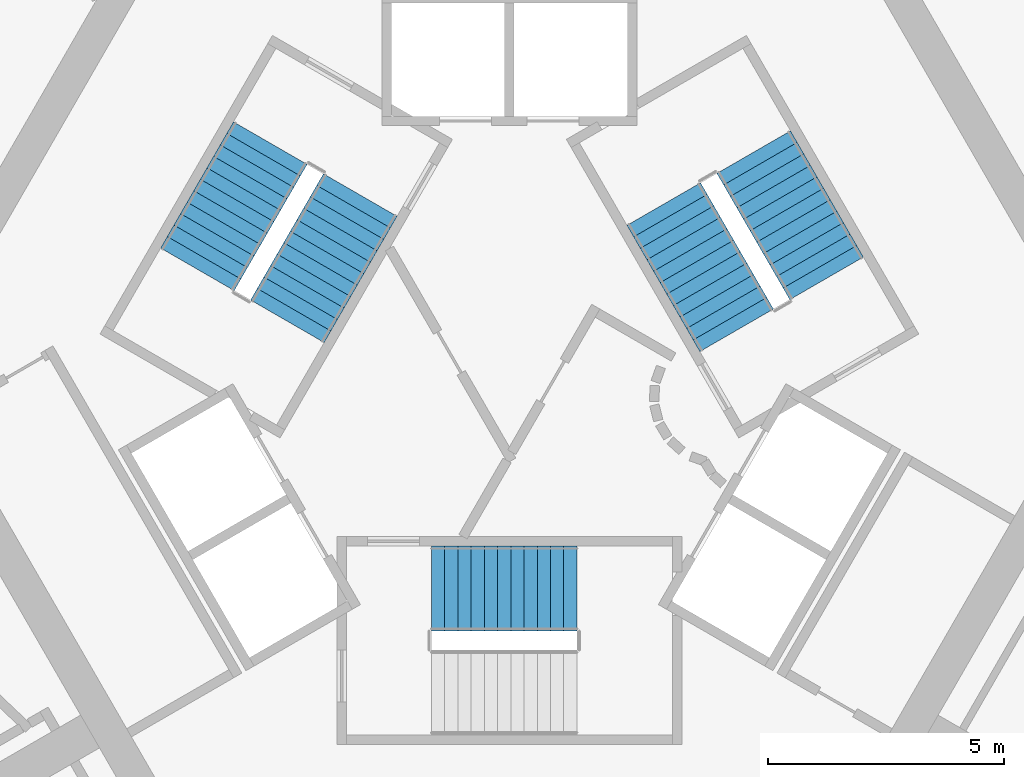
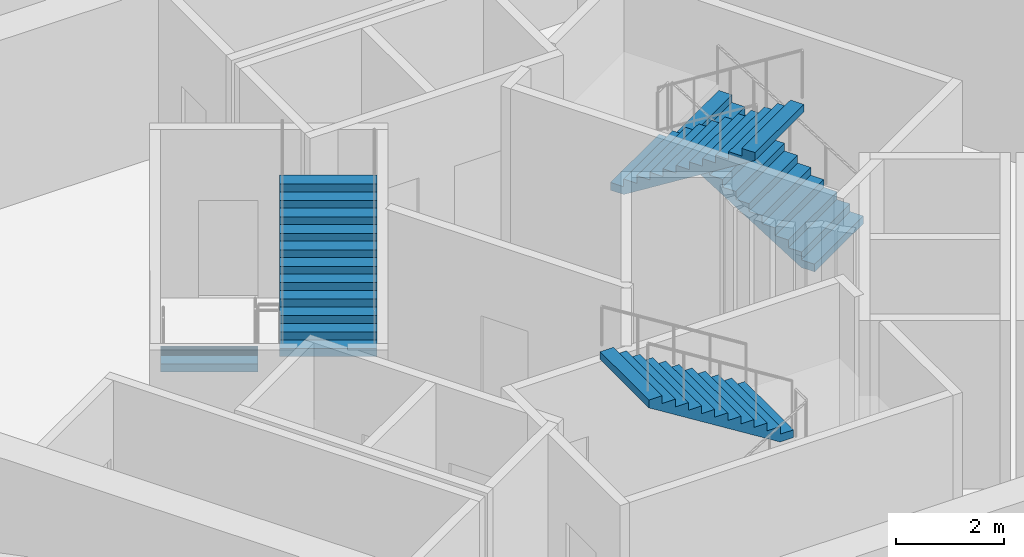
# One storey, part 10 of 11: 5 stair flights, 3 elements without a shape of their own.
"""IFC4 building model written with IfcOpenShell, lengths in metres."""

from ifc_helpers import new_model, si_unit, direction, frame, origin, place, context, subcontext, project, spatial, polyline, outline, extrude, material, type_object, element, aggregate, save


model = new_model("IFC4")

# Units and contexts
model_context = context("Model", 3, precision=1e-05, world=origin(), true_north=direction((0.0, 1.0)))
body_context = subcontext(model_context, "Body", "Model", "MODEL_VIEW")
ifc_project = project(units=[si_unit("LENGTHUNIT", "METRE"), si_unit("AREAUNIT", "SQUARE_METRE"), si_unit("VOLUMEUNIT", "CUBIC_METRE"), si_unit("PLANEANGLEUNIT", "RADIAN"), si_unit("MASSUNIT", "GRAM", prefix="KILO")], contexts=[model_context])

# Site, building, storey
site_placement = place(None, origin())
site = spatial("IfcSite", under=ifc_project, at=site_placement, CompositionType="ELEMENT")
building_placement = place(site_placement, origin())
building = spatial("IfcBuilding", under=site, at=building_placement, Name="Entoto Arch Interchange Tower", CompositionType="ELEMENT")
storey_placement = place(building_placement, frame((0.0, 0.0, 206.60009765625)))
storey = spatial("IfcBuildingStorey", under=building, at=storey_placement, Name="L46", CompositionType="ELEMENT", Elevation=206.60009765625)

# Stair, stair flight
ifc_material = material(Name="Concrete C40/50", Category="concrete")
stair_type = type_object("IfcStairType", Name="EXIT STAIR RC 1800", PredefinedType="HALF_TURN_STAIR", material=ifc_material)
stair_1_placement = place(storey_placement, origin())
stair_1 = element("IfcStair", 1, at=stair_1_placement, inside=storey, type_object=stair_type, Name="L46 Exit stair S", PredefinedType="HALF_TURN_STAIR")
stair_flight_type = type_object("IfcStairFlightType", Name="EXIT STAIR FLIGHT RC 1800", PredefinedType="STRAIGHT", material=ifc_material)
stair_flight_1_placement = place(storey_placement, frame((1.429931640625, -2.10009765625, 2.099853515625), z_axis=(0.0, 0.0, 1.0), x_axis=(-1.0, 0.0, 0.0)))
stair_flight_1 = element("IfcStairFlight", 2, at=stair_flight_1_placement, type_object=stair_flight_type, Name="ST-S flight 2", NumberOfRisers=12, NumberOfTreads=11, PredefinedType="STRAIGHT", RiserHeight=0.175, TreadLength=0.28, context=body_context, shape_type="SweptSolid", body=[
    extrude(outline(polyline([(-0.0029296875, 0.0), (-0.0029296875, 0.175048828125), (0.280029296875, 0.175048828125), (0.280029296875, 0.35009765625), (0.56005859375, 0.35009765625), (0.56005859375, 0.52490234375), (0.840087890625, 0.52490234375), (0.840087890625, 0.699951171875), (1.1201171875, 0.699951171875), (1.1201171875, 0.875), (1.39990234375, 0.875), (1.39990234375, 1.050048828125), (1.679931640625, 1.050048828125), (1.679931640625, 1.22509765625), (1.9599609375, 1.22509765625), (1.9599609375, 1.39990234375), (2.239990234375, 1.39990234375), (2.239990234375, 1.574951171875), (2.52001953125, 1.574951171875), (2.52001953125, 1.75), (2.800048828125, 1.75), (2.800048828125, 1.925048828125), (3.080078125, 1.925048828125), (3.0830078125, 1.925048828125), (3.0830078125, 1.75), (0.28271484375, 0.0), (-0.0029296875, 0.0)])), frame((0.0, 0.89990234375, 0.0), z_axis=(0.0, -1.0, 0.0), x_axis=(1.0, 0.0, 0.0)), (0.0, 0.0, 1.0), 1.800048828125),
])
aggregate(stair_1, [stair_flight_1])

# Stair, stair flights
stair_2_placement = place(storey_placement, origin())
stair_2 = element("IfcStair", 3, at=stair_2_placement, inside=storey, type_object=stair_type, Name="L46 Exit stair NE", PredefinedType="HALF_TURN_STAIR")
stair_flight_2_placement = place(storey_placement, frame((6.7138671875, 4.470947265625, 0.0), z_axis=(0.0, 0.0, 1.0), x_axis=(-0.5, 0.866025403784, 0.0)))
stair_flight_2 = element("IfcStairFlight", 4, at=stair_flight_2_placement, type_object=stair_flight_type, Name="ST-NE flight 1", NumberOfRisers=12, NumberOfTreads=11, PredefinedType="STRAIGHT", RiserHeight=0.175, TreadLength=0.28, context=body_context, shape_type="SweptSolid", body=[
    extrude(outline(polyline([(-0.0029296875, 0.0), (-0.0029296875, 0.175048828125), (0.280029296875, 0.175048828125), (0.280029296875, 0.35009765625), (0.56005859375, 0.35009765625), (0.56005859375, 0.52490234375), (0.840087890625, 0.52490234375), (0.840087890625, 0.699951171875), (1.1201171875, 0.699951171875), (1.1201171875, 0.875), (1.39990234375, 0.875), (1.39990234375, 1.050048828125), (1.679931640625, 1.050048828125), (1.679931640625, 1.22509765625), (1.9599609375, 1.22509765625), (1.9599609375, 1.39990234375), (2.239990234375, 1.39990234375), (2.239990234375, 1.574951171875), (2.52001953125, 1.574951171875), (2.52001953125, 1.75), (2.800048828125, 1.75), (2.800048828125, 1.925048828125), (3.080078125, 1.925048828125), (3.0830078125, 1.925048828125), (3.0830078125, 1.75), (0.28271484375, 0.0), (-0.0029296875, 0.0)])), frame((0.0, 0.89990234375, 0.0), z_axis=(0.0, -1.0, 0.0), x_axis=(1.0, 0.0, 0.0)), (0.0, 0.0, 1.0), 1.800048828125),
])
stair_flight_3_placement = place(storey_placement, frame((3.268798828125, 6.038330078125, 2.099853515625), z_axis=(0.0, 0.0, 1.0), x_axis=(0.5, -0.866025403784, 0.0)))
stair_flight_3 = element("IfcStairFlight", 5, at=stair_flight_3_placement, type_object=stair_flight_type, Name="ST-NE flight 2", NumberOfRisers=12, NumberOfTreads=11, PredefinedType="STRAIGHT", RiserHeight=0.175, TreadLength=0.28, context=body_context, shape_type="SweptSolid", body=[
    extrude(outline(polyline([(-0.0029296875, 0.0), (-0.0029296875, 0.175048828125), (0.280029296875, 0.175048828125), (0.280029296875, 0.35009765625), (0.56005859375, 0.35009765625), (0.56005859375, 0.52490234375), (0.840087890625, 0.52490234375), (0.840087890625, 0.699951171875), (1.1201171875, 0.699951171875), (1.1201171875, 0.875), (1.39990234375, 0.875), (1.39990234375, 1.050048828125), (1.679931640625, 1.050048828125), (1.679931640625, 1.22509765625), (1.9599609375, 1.22509765625), (1.9599609375, 1.39990234375), (2.239990234375, 1.39990234375), (2.239990234375, 1.574951171875), (2.52001953125, 1.574951171875), (2.52001953125, 1.75), (2.800048828125, 1.75), (2.800048828125, 1.925048828125), (3.080078125, 1.925048828125), (3.0830078125, 1.925048828125), (3.0830078125, 1.75), (0.28271484375, 0.0), (-0.0029296875, 0.0)])), frame((0.0, 0.89990234375, 0.0), z_axis=(0.0, -1.0, 0.0), x_axis=(1.0, 0.0, 0.0)), (0.0, 0.0, 1.0), 1.800048828125),
])
aggregate(stair_2, [stair_flight_2, stair_flight_3])

stair_3_placement = place(storey_placement, origin())
stair_3 = element("IfcStair", 6, at=stair_3_placement, inside=storey, type_object=stair_type, Name="L46 Exit stair NW", PredefinedType="HALF_TURN_STAIR")
stair_flight_4_placement = place(storey_placement, frame((-5.06396484375, 7.328857421875, 0.0), z_axis=(0.0, 0.0, 1.0), x_axis=(-0.5, -0.866025403784, 0.0)))
stair_flight_4 = element("IfcStairFlight", 7, at=stair_flight_4_placement, type_object=stair_flight_type, Name="ST-NW flight 1", NumberOfRisers=12, NumberOfTreads=11, PredefinedType="STRAIGHT", RiserHeight=0.175, TreadLength=0.28, context=body_context, shape_type="SweptSolid", body=[
    extrude(outline(polyline([(-0.0029296875, 0.0), (-0.0029296875, 0.175048828125), (0.280029296875, 0.175048828125), (0.280029296875, 0.35009765625), (0.56005859375, 0.35009765625), (0.56005859375, 0.52490234375), (0.840087890625, 0.52490234375), (0.840087890625, 0.699951171875), (1.1201171875, 0.699951171875), (1.1201171875, 0.875), (1.39990234375, 0.875), (1.39990234375, 1.050048828125), (1.679931640625, 1.050048828125), (1.679931640625, 1.22509765625), (1.9599609375, 1.22509765625), (1.9599609375, 1.39990234375), (2.239990234375, 1.39990234375), (2.239990234375, 1.574951171875), (2.52001953125, 1.574951171875), (2.52001953125, 1.75), (2.800048828125, 1.75), (2.800048828125, 1.925048828125), (3.080078125, 1.925048828125), (3.0830078125, 1.925048828125), (3.0830078125, 1.75), (0.28271484375, 0.0), (-0.0029296875, 0.0)])), frame((0.0, 0.89990234375, 0.0), z_axis=(0.0, -1.0, 0.0), x_axis=(1.0, 0.0, 0.0)), (0.0, 0.0, 1.0), 1.800048828125),
])
stair_flight_5_placement = place(storey_placement, frame((-4.69873046875, 3.5615234375, 2.099853515625), z_axis=(0.0, 0.0, 1.0), x_axis=(0.5, 0.866025403784, 0.0)))
stair_flight_5 = element("IfcStairFlight", 8, at=stair_flight_5_placement, type_object=stair_flight_type, Name="ST-NW flight 2", NumberOfRisers=12, NumberOfTreads=11, PredefinedType="STRAIGHT", RiserHeight=0.175, TreadLength=0.28, context=body_context, shape_type="SweptSolid", body=[
    extrude(outline(polyline([(-0.0029296875, 0.0), (-0.0029296875, 0.175048828125), (0.280029296875, 0.175048828125), (0.280029296875, 0.35009765625), (0.56005859375, 0.35009765625), (0.56005859375, 0.52490234375), (0.840087890625, 0.52490234375), (0.840087890625, 0.699951171875), (1.1201171875, 0.699951171875), (1.1201171875, 0.875), (1.39990234375, 0.875), (1.39990234375, 1.050048828125), (1.679931640625, 1.050048828125), (1.679931640625, 1.22509765625), (1.9599609375, 1.22509765625), (1.9599609375, 1.39990234375), (2.239990234375, 1.39990234375), (2.239990234375, 1.574951171875), (2.52001953125, 1.574951171875), (2.52001953125, 1.75), (2.800048828125, 1.75), (2.800048828125, 1.925048828125), (3.080078125, 1.925048828125), (3.0830078125, 1.925048828125), (3.0830078125, 1.75), (0.28271484375, 0.0), (-0.0029296875, 0.0)])), frame((0.0, 0.89990234375, 0.0), z_axis=(0.0, -1.0, 0.0), x_axis=(1.0, 0.0, 0.0)), (0.0, 0.0, 1.0), 1.800048828125),
])
aggregate(stair_3, [stair_flight_4, stair_flight_5])

save(model, "model.ifc")
